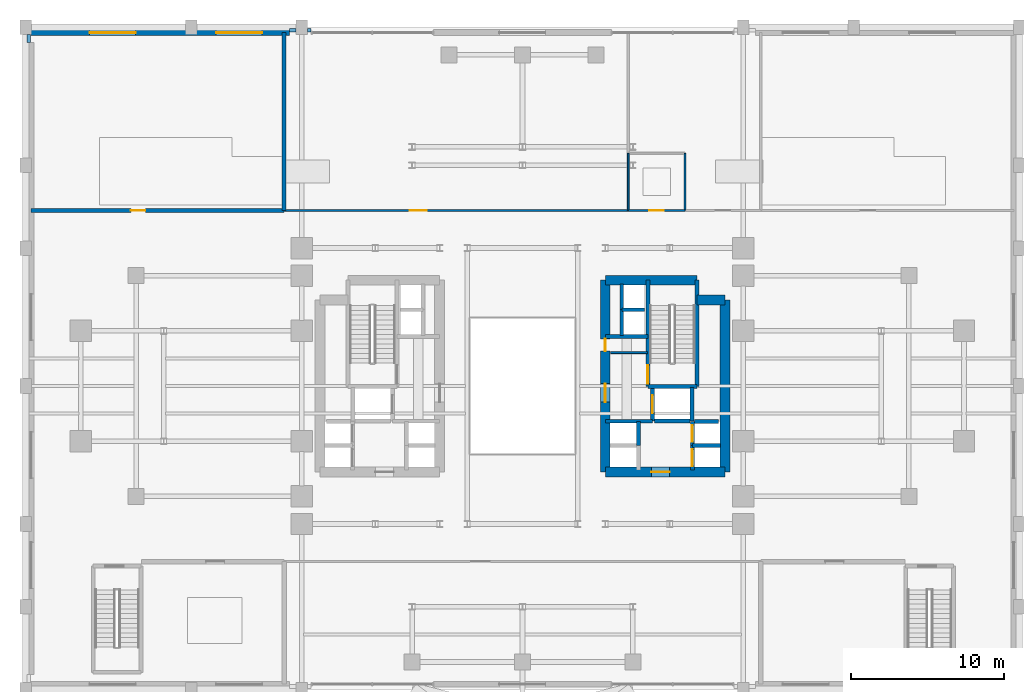
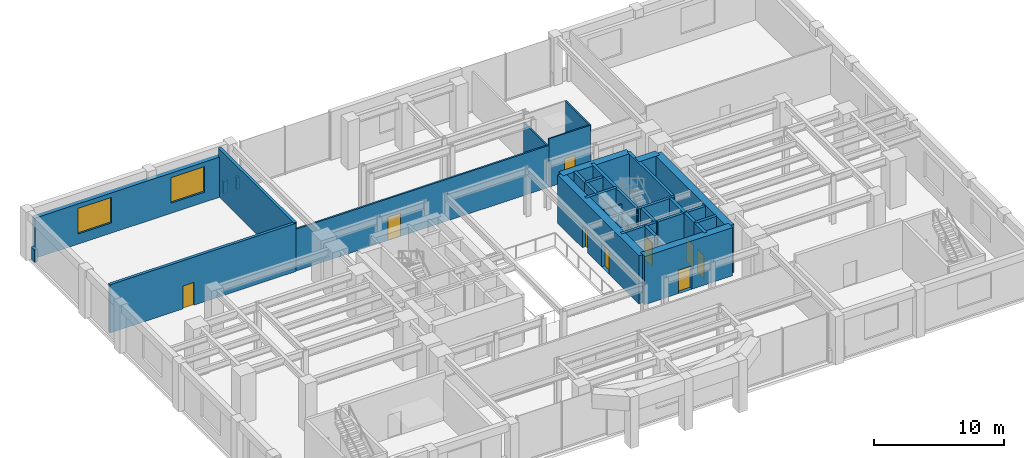
# One storey, part 11 of 14: 32 walls, 10 doors, 2 windows, 12 openings.
"""IFC4 building model written with IfcOpenShell, lengths in metres."""

import ifcopenshell
import ifcopenshell.guid

model = None  # the IFC model being written
_history = None  # IfcOwnerHistory: only IFC2X3 demands one
_inside = {}  # id of a spatial element -> (the spatial element, [elements in it])
_under = {}  # id of a project, library or spatial element -> (it, [spatial elements below it])
_declared = {}  # id of a project -> (the project, [libraries it declares])
_typed = {}  # id of a type object -> (the type object, [elements of that type])
_made_of = {}  # id of a material, layer set ... -> (it, [elements and type objects made of it])


def new_model(schema):
    """Start an empty IFC model of exactly this schema.

    Asked for "IFC4X3", IfcOpenShell would pick the latest addendum, in which some entities
    have other attributes; the version numbers below select the first issue.
    IFC2X3 requires an IfcOwnerHistory on every rooted entity: one is made here for all.
    """
    global model, _history
    if schema == "IFC4X3":
        model = ifcopenshell.file(schema_version=(4, 3, 0, 0))
    else:
        model = ifcopenshell.file(schema=schema)
    _inside.clear()
    _under.clear()
    _declared.clear()
    _typed.clear()
    _made_of.clear()
    _history = None
    if model.schema == "IFC2X3":
        org = make("IfcOrganization", Name="unknown")
        user = make(
            "IfcPersonAndOrganization",
            ThePerson=make("IfcPerson", FamilyName="unknown"),
            TheOrganization=org,
        )
        app = make(
            "IfcApplication",
            ApplicationDeveloper=org,
            Version="unknown",
            ApplicationFullName="unknown",
            ApplicationIdentifier="unknown",
        )
        _history = make(
            "IfcOwnerHistory",
            OwningUser=user,
            OwningApplication=app,
            ChangeAction="ADDED",
            CreationDate=0,
        )
    return model


def make(cls, **values):
    """One entity of the class cls with the attributes given. An attribute that is None is left unset."""
    return model.create_entity(
        cls, **{name: value for name, value in values.items() if value is not None}
    )


def rooted(cls, **values):
    """An entity with a GlobalId (a new one), such as an element, a storey or a relation."""
    return make(cls, GlobalId=ifcopenshell.guid.new(), OwnerHistory=_history, **values)


def si_unit(unit_type, name, prefix=None):
    """IfcSIUnit, for example si_unit("LENGTHUNIT", "METRE", prefix="MILLI")."""
    return make("IfcSIUnit", UnitType=unit_type, Prefix=prefix, Name=name)


def assignment(units):
    """IfcUnitAssignment: the units of a project."""
    return None if units is None else make("IfcUnitAssignment", Units=units)


def point(xyz):
    """IfcCartesianPoint."""
    return None if xyz is None else make("IfcCartesianPoint", Coordinates=xyz)


def direction(xyz):
    """IfcDirection."""
    return None if xyz is None else make("IfcDirection", DirectionRatios=xyz)


def frame(location, z_axis=None, x_axis=None):
    """IfcAxis2Placement3D, a coordinate frame: its origin and axes. An axis left out is left unset."""
    return make(
        "IfcAxis2Placement3D",
        Location=point(location),
        Axis=direction(z_axis),
        RefDirection=direction(x_axis),
    )


def frame_2d(location, x_axis=None):
    """IfcAxis2Placement2D, a coordinate frame in the plane: its origin and x axis."""
    return make(
        "IfcAxis2Placement2D", Location=point(location), RefDirection=direction(x_axis)
    )


def origin():
    """The frame at (0, 0, 0) with its axes left unset."""
    return frame((0.0, 0.0, 0.0))


def place(relative_to, where):
    """IfcLocalPlacement: puts the frame where relative to a parent placement (None: the world)."""
    return make(
        "IfcLocalPlacement", PlacementRelTo=relative_to, RelativePlacement=where
    )


def context(
    kind, dimensions, precision=None, world=None, true_north=None, identifier=None
):
    """IfcGeometricRepresentationContext, for example the 3D "Model" context."""
    return make(
        "IfcGeometricRepresentationContext",
        ContextIdentifier=identifier,
        ContextType=kind,
        CoordinateSpaceDimension=dimensions,
        Precision=precision,
        WorldCoordinateSystem=world,
        TrueNorth=true_north,
    )


def subcontext(parent, identifier, kind, view, scale=None):
    """IfcGeometricRepresentationSubContext, for example "Body" below "Model"."""
    return make(
        "IfcGeometricRepresentationSubContext",
        ContextIdentifier=identifier,
        ContextType=kind,
        ParentContext=parent,
        TargetScale=scale,
        TargetView=view,
    )


def project(units=None, contexts=None):
    """IfcProject with its units and contexts."""
    return rooted(
        "IfcProject",
        Name="project",
        RepresentationContexts=contexts,
        UnitsInContext=assignment(units),
    )


def spatial(cls, under=None, at=None, **own):
    """A site, building, storey or space (cls), placed at a placement, below another one or the project."""
    s = rooted(cls, ObjectPlacement=at, **own)
    if under is not None:
        _under.setdefault(under.id(), (under, []))[1].append(s)
    return s


def profile(cls, at=None, kind="AREA", **sizes):
    """A parametric profile (cls). Its sizes go by their IFC names, for example OverallWidth=200.0."""
    return make(cls, ProfileType=kind, Position=at, **sizes)


def rectangle(**sizes):
    """IfcRectangleProfileDef."""
    return profile("IfcRectangleProfileDef", **sizes)


def extrude(swept, where, along, depth):
    """IfcExtrudedAreaSolid: the profile swept, set in the frame where, extruded along a direction by depth."""
    return make(
        "IfcExtrudedAreaSolid",
        SweptArea=swept,
        Position=where,
        ExtrudedDirection=direction(along),
        Depth=depth,
    )


def shape(context_of_items, identifier, shape_type, items):
    """IfcShapeRepresentation: the items that make up one representation, for example the "Body"."""
    return make(
        "IfcShapeRepresentation",
        ContextOfItems=context_of_items,
        RepresentationIdentifier=identifier,
        RepresentationType=shape_type,
        Items=items,
    )


def source(mapping_origin, context_of_items, identifier, shape_type, items):
    """IfcRepresentationMap: a shape defined once, which mapped items show again and again."""
    return make(
        "IfcRepresentationMap",
        MappingOrigin=mapping_origin,
        MappedRepresentation=shape(context_of_items, identifier, shape_type, items),
    )


def transform(
    local_origin,
    x_axis=None,
    y_axis=None,
    z_axis=None,
    scale=None,
    scale2=None,
    scale3=None,
    uniform=True,
):
    """IfcCartesianTransformationOperator3D, or its non-uniform kind. x_axis, y_axis, z_axis: its Axis1, 2, 3."""
    if uniform:
        return make(
            "IfcCartesianTransformationOperator3D",
            Axis1=direction(x_axis),
            Axis2=direction(y_axis),
            LocalOrigin=point(local_origin),
            Scale=scale,
            Axis3=direction(z_axis),
        )
    return make(
        "IfcCartesianTransformationOperator3DnonUniform",
        Axis1=direction(x_axis),
        Axis2=direction(y_axis),
        LocalOrigin=point(local_origin),
        Scale=scale,
        Axis3=direction(z_axis),
        Scale2=scale2,
        Scale3=scale3,
    )


def mapped(mapping_source, mapping_target):
    """IfcMappedItem: shows the shape of a source again, moved by a transform."""
    return make(
        "IfcMappedItem", MappingSource=mapping_source, MappingTarget=mapping_target
    )


def material(Name=None, Category=None):
    """IfcMaterial."""
    return make("IfcMaterial", Name=Name, Category=Category)


def layer(
    of_material, thickness, ventilated=None, Name=None, Category=None, Priority=None
):
    """IfcMaterialLayer: one layer of a wall or slab, of a material (None: an air gap)."""
    return make(
        "IfcMaterialLayer",
        Material=of_material,
        LayerThickness=thickness,
        IsVentilated=ventilated,
        Name=Name,
        Category=Category,
        Priority=Priority,
    )


def layer_set(layers, Name=None):
    """IfcMaterialLayerSet."""
    return make("IfcMaterialLayerSet", MaterialLayers=layers, LayerSetName=Name)


def made_of(thing, what):
    """Note that an element or type object is made of a material, layer set ...; save() writes the relation."""
    if what is not None:
        _made_of.setdefault(what.id(), (what, []))[1].append(thing)
    return thing


def type_object(cls, material=None, **own):
    """A type object (cls), such as IfcWallType, which elements share."""
    return made_of(rooted(cls, **own), material)


def element(
    cls,
    number,
    at=None,
    inside=None,
    cuts=None,
    type_object=None,
    material=None,
    context=None,
    identifier="Body",
    shape_type=None,
    held_by="IfcProductDefinitionShape",
    body=None,
    shapes=None,
    **own,
):
    """One element of the class cls, such as IfcWall. Its Tag is "e" and its number.

    at: its placement. inside: the storey or other place that contains it. cuts: it is an
    opening in that element (IfcRelVoidsElement). A single representation is given by context,
    identifier, shape_type and body (its items); several are given by shapes. held_by: the class
    of the entity that holds the representations. save() writes the other relations.
    """
    e = rooted(cls, Tag="e%d" % number, ObjectPlacement=at, **own)
    if body is not None:
        shapes = [shape(context, identifier, shape_type, body)]
    if shapes is not None:
        e.Representation = make(held_by, Representations=shapes)
    if inside is not None:
        _inside.setdefault(inside.id(), (inside, []))[1].append(e)
    if cuts is not None:
        rooted(
            "IfcRelVoidsElement", RelatingBuildingElement=cuts, RelatedOpeningElement=e
        )
    if type_object is not None:
        _typed.setdefault(type_object.id(), (type_object, []))[1].append(e)
    return made_of(e, material)


def fill(opening, filler):
    """IfcRelFillsElement: the door or window that sits in an opening."""
    return rooted(
        "IfcRelFillsElement",
        RelatingOpeningElement=opening,
        RelatedBuildingElement=filler,
    )


def aggregate(whole, parts):
    """IfcRelAggregates: a whole, such as a stair, and the parts it consists of."""
    return rooted("IfcRelAggregates", RelatingObject=whole, RelatedObjects=parts)


def save(model, path):
    """Write the relations noted so far, then the file.

    IfcRelAggregates (storeys below a building ...), IfcRelContainedInSpatialStructure (elements
    in a storey), IfcRelDefinesByType, IfcRelAssociatesMaterial and IfcRelDeclares: one each for
    every whole, place, type object, material and project.
    """
    for whole, parts in _under.values():
        aggregate(whole, parts)
    for where, things in _inside.values():
        rooted(
            "IfcRelContainedInSpatialStructure",
            RelatedElements=things,
            RelatingStructure=where,
        )
    for kind, things in _typed.values():
        rooted("IfcRelDefinesByType", RelatedObjects=things, RelatingType=kind)
    for what, things in _made_of.values():
        rooted("IfcRelAssociatesMaterial", RelatedObjects=things, RelatingMaterial=what)
    for by, libraries in _declared.values():
        rooted("IfcRelDeclares", RelatingContext=by, RelatedDefinitions=libraries)
    model.write(path)


model = new_model("IFC4")

# Units and contexts
model_context = context("Model", 3, precision=1e-05, world=origin(), true_north=direction((0.0, 1.0)))
body_context = subcontext(model_context, "Body", "Model", "MODEL_VIEW")
ifc_project = project(units=[si_unit("LENGTHUNIT", "METRE"), si_unit("AREAUNIT", "SQUARE_METRE"), si_unit("VOLUMEUNIT", "CUBIC_METRE"), si_unit("PLANEANGLEUNIT", "RADIAN"), si_unit("MASSUNIT", "GRAM", prefix="KILO")], contexts=[model_context])

# Site, building, storey
site_placement = place(None, origin())
site = spatial("IfcSite", under=ifc_project, at=site_placement, CompositionType="ELEMENT")
building_placement = place(site_placement, origin())
building = spatial("IfcBuilding", under=site, at=building_placement, Name="Keilestroom Media Tower", CompositionType="ELEMENT")
storey_placement = place(building_placement, frame((0.0, 0.0, 5.39990234375)))
storey = spatial("IfcBuildingStorey", under=building, at=storey_placement, Name="L01", CompositionType="ELEMENT", Elevation=5.39990234375)

# Wall, opening, door
ifc_material_1 = material(Name="Concrete C45/55", Category="concrete")
ifc_layer_1 = layer(ifc_material_1, 0.25)
ifc_layer_set_1 = layer_set([ifc_layer_1], Name="Concrete C45/55")
wall_type_1 = type_object("IfcWallType", Name="Acoustic-Studio-Isolation-Wall-250", PredefinedType="SOLIDWALL", material=ifc_layer_set_1)
wall_1_placement = place(storey_placement, frame((-32.050048828125, 11.449951171875, 0.0), z_axis=(0.0, 0.0, 1.0), x_axis=(1.0, 0.0, 0.0)))
wall_1 = element("IfcWall", 1, at=wall_1_placement, inside=storey, type_object=wall_type_1, Name="L01 Interior Wall WP-L01-CTRL-NW-S", PredefinedType="SOLIDWALL", context=body_context, shape_type="SweptSolid", body=[
    extrude(rectangle(XDim=16.5, YDim=0.25, at=frame_2d((8.25, 0.0))), origin(), (0.0, 0.0, 1.0), 4.52001953125),
])
opening_1_placement = place(wall_1_placement, frame((6.5, 0.0, 0.0)))
opening_1 = element("IfcOpeningElement", 2, at=opening_1_placement, cuts=wall_1, Name="Opening DI-03", PredefinedType="OPENING", context=body_context, shape_type="SweptSolid", body=[
    extrude(rectangle(XDim=0.949951171875, YDim=2.14990234375, at=frame_2d((0.47509765625, 1.074951171875))), frame((0.0, 0.135009765625, 0.0), z_axis=(0.0, -1.0, 0.0), x_axis=(1.0, 0.0, 0.0)), (0.0, 0.0, 1.0), 0.27001953125),
])
ifc_material_2 = material(Name="Lacquered European Oak Leaf", Category="wood")
door_type_1 = type_object("IfcDoorType", Name="Interior-Room-And-Suite-Door-DI-03", OperationType="NOTDEFINED", PredefinedType="DOOR", material=ifc_material_2)
shared_shape_1 = source(origin(), body_context, "Body", "SweptSolid", [
    extrude(rectangle(XDim=0.949951171875, YDim=2.14990234375, at=frame_2d((0.47509765625, 1.074951171875))), frame((0.0, 0.02490234375, 0.0), z_axis=(0.0, -1.0, 0.0), x_axis=(1.0, 0.0, 0.0)), (0.0, 0.0, 1.0), 0.050048828125),
])
door_1_placement = place(opening_1_placement, origin())
door_1 = element("IfcDoor", 3, at=door_1_placement, inside=storey, type_object=door_type_1, Name="L01 Interior Door DI-L01-CTRL-NW-D", OperationType="SINGLE_SWING_LEFT", OverallHeight=2.14990234375, OverallWidth=0.949951171875, PredefinedType="DOOR", context=body_context, shape_type="MappedRepresentation", body=[
    mapped(shared_shape_1, transform((0.0, 0.0, 0.0), x_axis=(1.0, 0.0, 0.0), y_axis=(0.0, 1.0, 0.0), z_axis=(0.0, 0.0, 1.0), scale=1.0)),
])
fill(opening_1, door_1)

# Wall
wall_2_placement = place(storey_placement, frame((-15.550048828125, 11.449951171875, 0.0), z_axis=(0.0, 0.0, 1.0), x_axis=(0.0, 1.0, 0.0)))
element("IfcWall", 4, at=wall_2_placement, inside=storey, type_object=wall_type_1, Name="L01 Interior Wall WP-L01-CTRL-NW-E", PredefinedType="SOLIDWALL", context=body_context, shape_type="SweptSolid", body=[
    extrude(rectangle(XDim=11.60009765625, YDim=0.25, at=frame_2d((5.800048828125, 0.0))), origin(), (0.0, 0.0, 1.0), 4.52001953125),
])

# Wall, openings, windows
ifc_material_3 = material(Name="Precast concrete C40/50", Category="concrete")
ifc_layer_2 = layer(ifc_material_3, 0.3798828125)
ifc_layer_set_2 = layer_set([ifc_layer_2], Name="Precast concrete C40/50")
wall_type_2 = type_object("IfcWallType", Name="Exterior-Masonry-Spandrel-Wall-380", PredefinedType="SOLIDWALL", material=ifc_layer_set_2)
wall_3_placement = place(storey_placement, frame((-32.050048828125, 23.050048828125, 0.0), z_axis=(0.0, 0.0, 1.0), x_axis=(1.0, 0.0, 0.0)))
wall_3 = element("IfcWall", 5, at=wall_3_placement, inside=storey, type_object=wall_type_2, Name="L01 Podium Precast Masonry Wall EWL-L01-N-W", PredefinedType="SOLIDWALL", context=body_context, shape_type="SweptSolid", body=[
    extrude(rectangle(XDim=16.85009765625, YDim=0.3798828125, at=frame_2d((8.425048828125, 0.0))), origin(), (0.0, 0.0, 1.0), 3.77001953125),
])
opening_2_placement = place(wall_3_placement, frame((3.81201171875, 0.0, 0.949951171875)))
opening_2 = element("IfcOpeningElement", 6, at=opening_2_placement, cuts=wall_3, Name="Opening WN-05", PredefinedType="OPENING", context=body_context, shape_type="SweptSolid", body=[
    extrude(rectangle(XDim=3.0, YDim=2.39990234375, at=frame_2d((1.5, 1.199951171875))), frame((0.0, 0.199951171875, 0.0), z_axis=(0.0, -1.0, 0.0), x_axis=(1.0, 0.0, 0.0)), (0.0, 0.0, 1.0), 0.39990234375),
])
opening_3_placement = place(wall_3_placement, frame((12.06201171875, 0.0, 0.949951171875)))
opening_3 = element("IfcOpeningElement", 7, at=opening_3_placement, cuts=wall_3, Name="Opening WN-05", PredefinedType="OPENING", context=body_context, shape_type="SweptSolid", body=[
    extrude(rectangle(XDim=3.0, YDim=2.39990234375, at=frame_2d((1.5, 1.199951171875))), frame((0.0, 0.199951171875, 0.0), z_axis=(0.0, -1.0, 0.0), x_axis=(1.0, 0.0, 0.0)), (0.0, 0.0, 1.0), 0.39990234375),
])
ifc_material_4 = material(Name="Acoustic Studio Observation Window", Category="glass")
window_type = type_object("IfcWindowType", Name="Recessed-Punched-Window-WN-05", PartitioningType="TRIPLE_PANEL_VERTICAL", PredefinedType="WINDOW", material=ifc_material_4)
shared_shape_2 = source(origin(), body_context, "Body", "SweptSolid", [
    extrude(rectangle(XDim=3.0, YDim=2.39990234375, at=frame_2d((1.5, 1.199951171875))), frame((0.0, 0.030029296875, 0.0), z_axis=(0.0, -1.0, 0.0), x_axis=(1.0, 0.0, 0.0)), (0.0, 0.0, 1.0), 0.06005859375),
])
window_1_placement = place(opening_2_placement, origin())
window_1 = element("IfcWindow", 8, at=window_1_placement, inside=storey, type_object=window_type, Name="L01 Window WN-05 EWL-L01-N-W-1", OverallHeight=2.39990234375, OverallWidth=3.0, PartitioningType="SINGLE_PANEL", PredefinedType="WINDOW", context=body_context, shape_type="MappedRepresentation", body=[
    mapped(shared_shape_2, transform((0.0, 0.0, 0.0), x_axis=(1.0, 0.0, 0.0), y_axis=(0.0, 1.0, 0.0), z_axis=(0.0, 0.0, 1.0), scale=1.0)),
])
fill(opening_2, window_1)
window_2_placement = place(opening_3_placement, origin())
window_2 = element("IfcWindow", 9, at=window_2_placement, inside=storey, type_object=window_type, Name="L01 Window WN-05 EWL-L01-N-W-2", OverallHeight=2.39990234375, OverallWidth=3.0, PartitioningType="SINGLE_PANEL", PredefinedType="WINDOW", context=body_context, shape_type="MappedRepresentation", body=[
    mapped(shared_shape_2, transform((0.0, 0.0, 0.0), x_axis=(1.0, 0.0, 0.0), y_axis=(0.0, 1.0, 0.0), z_axis=(0.0, 0.0, 1.0), scale=1.0)),
])
fill(opening_3, window_2)

# Wall
ifc_material_5 = material(Name="Gypsum Plasterboard & Steel Stud", Category="steel")
ifc_layer_3 = layer(ifc_material_5, 0.1201171875)
ifc_layer_set_3 = layer_set([ifc_layer_3], Name="Gypsum Plasterboard & Steel Stud")
wall_type_3 = type_object("IfcWallType", Name="Interior-Partition-Wall-120", PredefinedType="PARTITIONING", material=ifc_layer_set_3)
wall_4_placement = place(storey_placement, frame((5.75, 2.179931640625, 0.0), z_axis=(0.0, 0.0, 1.0), x_axis=(1.0, 0.0, 0.0)))
element("IfcWall", 10, at=wall_4_placement, inside=storey, type_object=wall_type_3, Name="L01 Interior Wall WP-L01-CIE-S", PredefinedType="PARTITIONING", context=body_context, shape_type="SweptSolid", body=[
    extrude(rectangle(XDim=2.389892578125, YDim=0.1201171875, at=frame_2d((1.19482421875, 0.0))), origin(), (0.0, 0.0, 1.0), 3.6201171875),
])

# Wall, opening, door
wall_5_placement = place(storey_placement, frame((6.89990234375, 11.449951171875, 0.0), z_axis=(0.0, 0.0, 1.0), x_axis=(1.0, 0.0, 0.0)))
wall_5 = element("IfcWall", 11, at=wall_5_placement, inside=storey, type_object=wall_type_3, Name="L01 Interior Wall WP-L01-WC-POD-S", PredefinedType="PARTITIONING", context=body_context, shape_type="SweptSolid", body=[
    extrude(rectangle(XDim=3.7001953125, YDim=0.1201171875, at=frame_2d((1.85009765625, 0.0))), origin(), (0.0, 0.0, 1.0), 4.52001953125),
])
opening_4_placement = place(wall_5_placement, frame((1.375, 0.0, 0.0)))
opening_4 = element("IfcOpeningElement", 12, at=opening_4_placement, cuts=wall_5, Name="Opening DI-03", PredefinedType="OPENING", context=body_context, shape_type="SweptSolid", body=[
    extrude(rectangle(XDim=0.949951171875, YDim=2.14990234375, at=frame_2d((0.47509765625, 1.074951171875))), frame((0.0, 0.070068359375, 0.0), z_axis=(0.0, -1.0, 0.0), x_axis=(1.0, 0.0, 0.0)), (0.0, 0.0, 1.0), 0.14013671875),
])
door_2_placement = place(opening_4_placement, origin())
door_2 = element("IfcDoor", 13, at=door_2_placement, inside=storey, type_object=door_type_1, Name="L01 Interior Door DI-L01-DWC-POD", OperationType="SINGLE_SWING_RIGHT", OverallHeight=2.14990234375, OverallWidth=0.949951171875, PredefinedType="DOOR", context=body_context, shape_type="MappedRepresentation", body=[
    mapped(shared_shape_1, transform((0.0, 0.0, 0.0), x_axis=(1.0, 0.0, 0.0), y_axis=(0.0, 1.0, 0.0), z_axis=(0.0, 0.0, 1.0), scale=1.0)),
])
fill(opening_4, door_2)

# Walls
wall_6_placement = place(storey_placement, frame((6.89990234375, 11.449951171875, 0.0), z_axis=(0.0, 0.0, 1.0), x_axis=(0.0, 1.0, 0.0)))
element("IfcWall", 14, at=wall_6_placement, inside=storey, type_object=wall_type_3, Name="L01 Interior Wall WP-L01-WC-POD-W", PredefinedType="PARTITIONING", context=body_context, shape_type="SweptSolid", body=[
    extrude(rectangle(XDim=3.72998046875, YDim=0.1201171875, at=frame_2d((1.864990234375, 0.0))), origin(), (0.0, 0.0, 1.0), 3.820068359375),
])
wall_7_placement = place(storey_placement, frame((10.60009765625, 11.449951171875, 0.0), z_axis=(0.0, 0.0, 1.0), x_axis=(0.0, 1.0, 0.0)))
element("IfcWall", 15, at=wall_7_placement, inside=storey, type_object=wall_type_3, Name="L01 Interior Wall WP-L01-WC-POD-E", PredefinedType="PARTITIONING", context=body_context, shape_type="SweptSolid", body=[
    extrude(rectangle(XDim=3.72998046875, YDim=0.1201171875, at=frame_2d((1.864990234375, 0.0))), origin(), (0.0, 0.0, 1.0), 4.52001953125),
])

# Wall, opening, door
ifc_layer_4 = layer(ifc_material_5, 0.14990234375)
ifc_layer_set_4 = layer_set([ifc_layer_4], Name="Gypsum Plasterboard & Steel Stud")
wall_type_4 = type_object("IfcWallType", Name="Interior-Partition-Wall-150", PredefinedType="PARTITIONING", material=ifc_layer_set_4)
wall_8_placement = place(storey_placement, frame((-15.550048828125, 11.449951171875, 0.0), z_axis=(0.0, 0.0, 1.0), x_axis=(1.0, 0.0, 0.0)))
wall_8 = element("IfcWall", 16, at=wall_8_placement, inside=storey, type_object=wall_type_4, Name="L01 Interior Wall WP-L01-GREEN-N-S", PredefinedType="PARTITIONING", context=body_context, shape_type="SweptSolid", body=[
    extrude(rectangle(XDim=22.449951171875, YDim=0.14990234375, at=frame_2d((11.22509765625, 0.0))), origin(), (0.0, 0.0, 1.0), 3.920166015625),
])
opening_5_placement = place(wall_8_placement, frame((8.199951171875, 0.0, 0.0)))
opening_5 = element("IfcOpeningElement", 17, at=opening_5_placement, cuts=wall_8, Name="Opening DI-04", PredefinedType="OPENING", context=body_context, shape_type="SweptSolid", body=[
    extrude(rectangle(XDim=1.10009765625, YDim=2.199951171875, at=frame_2d((0.550048828125, 1.10009765625))), frame((0.0, 0.0849609375, 0.0), z_axis=(0.0, -1.0, 0.0), x_axis=(1.0, 0.0, 0.0)), (0.0, 0.0, 1.0), 0.169921875),
])
ifc_material_6 = material(Name="Acoustic Glazed Aluminium Leaf", Category="aluminium")
door_type_2 = type_object("IfcDoorType", Name="Interior-Room-And-Suite-Door-DI-04", OperationType="NOTDEFINED", PredefinedType="DOOR", material=ifc_material_6)
shared_shape_3 = source(origin(), body_context, "Body", "SweptSolid", [
    extrude(rectangle(XDim=1.10009765625, YDim=2.199951171875, at=frame_2d((0.550048828125, 1.10009765625))), frame((0.0, 0.02490234375, 0.0), z_axis=(0.0, -1.0, 0.0), x_axis=(1.0, 0.0, 0.0)), (0.0, 0.0, 1.0), 0.050048828125),
])
door_3_placement = place(opening_5_placement, origin())
door_3 = element("IfcDoor", 18, at=door_3_placement, inside=storey, type_object=door_type_2, Name="L01 Interior Door DI-L01-GREEN-N-D", OperationType="SINGLE_SWING_LEFT", OverallHeight=2.199951171875, OverallWidth=1.10009765625, PredefinedType="DOOR", context=body_context, shape_type="MappedRepresentation", body=[
    mapped(shared_shape_3, transform((0.0, 0.0, 0.0), x_axis=(1.0, 0.0, 0.0), y_axis=(0.0, 1.0, 0.0), z_axis=(0.0, 0.0, 1.0), scale=1.0)),
])
fill(opening_5, door_3)

# Wall
ifc_material_7 = material(Name="Concrete C70/85", Category="concrete")
ifc_layer_5 = layer(ifc_material_7, 0.64990234375)
ifc_layer_set_5 = layer_set([ifc_layer_5], Name="Concrete C70/85")
wall_type_5 = type_object("IfcWallType", Name="Reinforced-Concrete-Core-Shear-Wall-650", PredefinedType="SHEAR", material=ifc_layer_set_5)
wall_9_placement = place(storey_placement, frame((13.199951171875, -5.60009765625, 0.0), z_axis=(0.0, 0.0, 1.0), x_axis=(0.0, 1.0, 0.0)))
element("IfcWall", 19, at=wall_9_placement, inside=storey, type_object=wall_type_5, Name="L01 Core Shear Wall WL-L01-CORE-E-OUT", PredefinedType="SHEAR", context=body_context, shape_type="SweptSolid", body=[
    extrude(rectangle(XDim=11.2001953125, YDim=0.64990234375, at=frame_2d((5.60009765625, 0.0))), origin(), (0.0, 0.0, 1.0), 4.52001953125),
])

# Wall, openings, doors
wall_10_placement = place(storey_placement, frame((5.39990234375, -5.60009765625, 0.0), z_axis=(0.0, 0.0, 1.0), x_axis=(0.0, 1.0, 0.0)))
wall_10 = element("IfcWall", 20, at=wall_10_placement, inside=storey, type_object=wall_type_5, Name="L01 Core Shear Wall WL-L01-CORE-E-IN", PredefinedType="SHEAR", context=body_context, shape_type="SweptSolid", body=[
    extrude(rectangle(XDim=12.5, YDim=0.64990234375, at=frame_2d((6.25, 0.0))), origin(), (0.0, 0.0, 1.0), 4.52001953125),
])
opening_6_placement = place(wall_10_placement, frame((4.550048828125, 0.0, 0.0)))
opening_6 = element("IfcOpeningElement", 21, at=opening_6_placement, cuts=wall_10, Name="Opening DI-02", PredefinedType="OPENING", context=body_context, shape_type="SweptSolid", body=[
    extrude(rectangle(XDim=1.199951171875, YDim=2.199951171875, at=frame_2d((0.60009765625, 1.10009765625))), frame((0.0, 0.3349609375, 0.0), z_axis=(0.0, -1.0, 0.0), x_axis=(1.0, 0.0, 0.0)), (0.0, 0.0, 1.0), 0.669921875),
])
opening_7_placement = place(wall_10_placement, frame((7.8798828125, 0.0, 0.0)))
opening_7 = element("IfcOpeningElement", 22, at=opening_7_placement, cuts=wall_10, Name="Opening DI-06", PredefinedType="OPENING", context=body_context, shape_type="SweptSolid", body=[
    extrude(rectangle(XDim=0.800048828125, YDim=2.10009765625, at=frame_2d((0.39990234375, 1.050048828125))), frame((0.0, 0.3349609375, 0.0), z_axis=(0.0, -1.0, 0.0), x_axis=(1.0, 0.0, 0.0)), (0.0, 0.0, 1.0), 0.669921875),
])
ifc_material_8 = material(Name="Powder-Coated Steel Fire Leaf", Category="steel")
door_type_3 = type_object("IfcDoorType", Name="Interior-Compartment-Fire-Door-DI-02", OperationType="NOTDEFINED", PredefinedType="DOOR", material=ifc_material_8)
shared_shape_4 = source(origin(), body_context, "Body", "SweptSolid", [
    extrude(rectangle(XDim=1.199951171875, YDim=2.199951171875, at=frame_2d((0.60009765625, 1.10009765625))), frame((0.0, 0.02490234375, 0.0), z_axis=(0.0, -1.0, 0.0), x_axis=(1.0, 0.0, 0.0)), (0.0, 0.0, 1.0), 0.050048828125),
])
door_4_placement = place(opening_6_placement, origin())
door_4 = element("IfcDoor", 23, at=door_4_placement, inside=storey, type_object=door_type_3, Name="L01 E Firefighting Lobby Door", OperationType="SINGLE_SWING_LEFT", OverallHeight=2.199951171875, OverallWidth=1.199951171875, PredefinedType="DOOR", context=body_context, shape_type="MappedRepresentation", body=[
    mapped(shared_shape_4, transform((0.0, 0.0, 0.0), x_axis=(1.0, 0.0, 0.0), y_axis=(0.0, 1.0, 0.0), z_axis=(0.0, 0.0, 1.0), scale=1.0)),
])
fill(opening_6, door_4)
ifc_material_9 = material(Name="Powder-Coated Steel Service Leaf", Category="steel")
door_type_4 = type_object("IfcDoorType", Name="Interior-Riser-Access-Door-DI-06", OperationType="NOTDEFINED", PredefinedType="DOOR", material=ifc_material_9)
shared_shape_5 = source(origin(), body_context, "Body", "SweptSolid", [
    extrude(rectangle(XDim=0.800048828125, YDim=2.10009765625, at=frame_2d((0.39990234375, 1.050048828125))), frame((0.0, 0.02490234375, 0.0), z_axis=(0.0, -1.0, 0.0), x_axis=(1.0, 0.0, 0.0)), (0.0, 0.0, 1.0), 0.050048828125),
])
door_5_placement = place(opening_7_placement, origin())
door_5 = element("IfcDoor", 24, at=door_5_placement, inside=storey, type_object=door_type_4, Name="L01 East Core Closet Door", OperationType="SINGLE_SWING_RIGHT", OverallHeight=2.10009765625, OverallWidth=0.800048828125, PredefinedType="DOOR", context=body_context, shape_type="MappedRepresentation", body=[
    mapped(shared_shape_5, transform((0.0, 0.0, 0.0), x_axis=(1.0, 0.0, 0.0), y_axis=(0.0, 1.0, 0.0), z_axis=(0.0, 0.0, 1.0), scale=1.0)),
])
fill(opening_7, door_5)

# Walls
wall_11_placement = place(storey_placement, frame((5.39990234375, 6.89990234375, 0.0), z_axis=(0.0, 0.0, 1.0), x_axis=(1.0, 0.0, 0.0)))
element("IfcWall", 25, at=wall_11_placement, inside=storey, type_object=wall_type_5, Name="L01 Core Shear Wall WL-L01-CORE-E-N", PredefinedType="SHEAR", context=body_context, shape_type="SweptSolid", body=[
    extrude(rectangle(XDim=5.981201171875, YDim=0.64990234375, at=frame_2d((2.99072265625, 0.0))), origin(), (0.0, 0.0, 1.0), 4.52001953125),
])
wall_12_placement = place(storey_placement, frame((11.381103515625, 5.60009765625, 0.0), z_axis=(0.0, 0.0, 1.0), x_axis=(1.0, 0.0, 0.0)))
element("IfcWall", 26, at=wall_12_placement, inside=storey, type_object=wall_type_5, Name="L01 Core Shear Wall WL-L01-CNE-N", PredefinedType="SHEAR", context=body_context, shape_type="SweptSolid", body=[
    extrude(rectangle(XDim=1.81884765625, YDim=0.64990234375, at=frame_2d((0.909423828125, 0.0))), origin(), (0.0, 0.0, 1.0), 4.52001953125),
])

# Wall, opening, door
wall_13_placement = place(storey_placement, frame((5.39990234375, -5.60009765625, 0.0), z_axis=(0.0, 0.0, 1.0), x_axis=(1.0, 0.0, 0.0)))
wall_13 = element("IfcWall", 27, at=wall_13_placement, inside=storey, type_object=wall_type_5, Name="L01 Core Shear Wall WL-L01-CORE-E-S", PredefinedType="SHEAR", context=body_context, shape_type="SweptSolid", body=[
    extrude(rectangle(XDim=7.800048828125, YDim=0.64990234375, at=frame_2d((3.89990234375, 0.0))), origin(), (0.0, 0.0, 1.0), 4.52001953125),
])
opening_8_placement = place(wall_13_placement, frame((3.0, 0.0, 0.0)))
opening_8 = element("IfcOpeningElement", 28, at=opening_8_placement, cuts=wall_13, Name="Opening DI-02", PredefinedType="OPENING", context=body_context, shape_type="SweptSolid", body=[
    extrude(rectangle(XDim=1.199951171875, YDim=2.199951171875, at=frame_2d((0.60009765625, 1.10009765625))), frame((0.0, 0.3349609375, 0.0), z_axis=(0.0, -1.0, 0.0), x_axis=(1.0, 0.0, 0.0)), (0.0, 0.0, 1.0), 0.669921875),
])
door_6_placement = place(opening_8_placement, origin())
door_6 = element("IfcDoor", 29, at=door_6_placement, inside=storey, type_object=door_type_3, Name="L01 E Passenger Lift Lobby Door", OperationType="SINGLE_SWING_RIGHT", OverallHeight=2.199951171875, OverallWidth=1.199951171875, PredefinedType="DOOR", context=body_context, shape_type="MappedRepresentation", body=[
    mapped(shared_shape_4, transform((0.0, 0.0, 0.0), x_axis=(1.0, 0.0, 0.0), y_axis=(0.0, 1.0, 0.0), z_axis=(0.0, 0.0, 1.0), scale=1.0)),
])
fill(opening_8, door_6)

# Walls
ifc_material_10 = material(Name="Concrete C50/60", Category="concrete")
ifc_layer_6 = layer(ifc_material_10, 0.25)
ifc_layer_set_6 = layer_set([ifc_layer_6], Name="Concrete C50/60")
wall_type_6 = type_object("IfcWallType", Name="Reinforced-Concrete-Shaft-Wall-250", PredefinedType="SOLIDWALL", material=ifc_layer_set_6)
wall_14_placement = place(storey_placement, frame((5.39990234375, 3.219970703125, 0.0), z_axis=(0.0, 0.0, 1.0), x_axis=(1.0, 0.0, 0.0)))
element("IfcWall", 30, at=wall_14_placement, inside=storey, type_object=wall_type_6, Name="L01 Core Shear Wall WL-L01-CORE-E-FFN", PredefinedType="SOLIDWALL", context=body_context, shape_type="SweptSolid", body=[
    extrude(rectangle(XDim=2.780029296875, YDim=0.25, at=frame_2d((1.39013671875, 0.0))), origin(), (0.0, 0.0, 1.0), 4.52001953125),
])
wall_15_placement = place(storey_placement, frame((5.39990234375, -2.300048828125, 0.0), z_axis=(0.0, 0.0, 1.0), x_axis=(1.0, 0.0, 0.0)))
element("IfcWall", 31, at=wall_15_placement, inside=storey, type_object=wall_type_6, Name="L01 Core Shear Wall WL-L01-CORE-E-FFS", PredefinedType="SOLIDWALL", context=body_context, shape_type="SweptSolid", body=[
    extrude(rectangle(XDim=3.080078125, YDim=0.25, at=frame_2d((1.5400390625, 0.0))), origin(), (0.0, 0.0, 1.0), 4.52001953125),
])

# Wall, opening, door
wall_16_placement = place(storey_placement, frame((8.178955078125, -0.041015625, 0.0), z_axis=(0.0, 0.0, 1.0), x_axis=(0.0, 1.0, 0.0)))
wall_16 = element("IfcWall", 32, at=wall_16_placement, inside=storey, type_object=wall_type_6, Name="L01 Core Shear Wall WL-L01-STW-E-NEAR", PredefinedType="SOLIDWALL", context=body_context, shape_type="SweptSolid", body=[
    extrude(rectangle(XDim=6.94091796875, YDim=0.25, at=frame_2d((3.470458984375, 0.0))), origin(), (0.0, 0.0, 1.0), 4.52001953125),
])
opening_9_placement = place(wall_16_placement, frame((0.199951171875, 0.0, 0.0)))
opening_9 = element("IfcOpeningElement", 33, at=opening_9_placement, cuts=wall_16, Name="Opening DI-01S", PredefinedType="OPENING", context=body_context, shape_type="SweptSolid", body=[
    extrude(rectangle(XDim=1.199951171875, YDim=2.199951171875, at=frame_2d((0.60009765625, 1.10009765625))), frame((0.0, 0.135009765625, 0.0), z_axis=(0.0, -1.0, 0.0), x_axis=(1.0, 0.0, 0.0)), (0.0, 0.0, 1.0), 0.27001953125),
])
door_type_5 = type_object("IfcDoorType", Name="Interior-Stair-And-Core-Fire-Door-DI-01", OperationType="NOTDEFINED", PredefinedType="DOOR", material=ifc_material_8)
door_7_placement = place(opening_9_placement, origin())
door_7 = element("IfcDoor", 34, at=door_7_placement, inside=storey, type_object=door_type_5, Name="L01 Escape Stair ST-2 Fire Door", OperationType="SINGLE_SWING_RIGHT", OverallHeight=2.199951171875, OverallWidth=1.199951171875, PredefinedType="DOOR", context=body_context, shape_type="MappedRepresentation", body=[
    mapped(shared_shape_4, transform((0.0, 0.0, 0.0), x_axis=(1.0, 0.0, 0.0), y_axis=(0.0, 1.0, 0.0), z_axis=(0.0, 0.0, 1.0), scale=1.0)),
])
fill(opening_9, door_7)

# Walls
wall_17_placement = place(storey_placement, frame((11.381103515625, -0.041015625, 0.0), z_axis=(0.0, 0.0, 1.0), x_axis=(0.0, 1.0, 0.0)))
element("IfcWall", 35, at=wall_17_placement, inside=storey, type_object=wall_type_6, Name="L01 Core Shear Wall WL-L01-STW-E-FAR", PredefinedType="SOLIDWALL", context=body_context, shape_type="SweptSolid", body=[
    extrude(rectangle(XDim=6.94091796875, YDim=0.25, at=frame_2d((3.470458984375, 0.0))), origin(), (0.0, 0.0, 1.0), 4.52001953125),
])
wall_18_placement = place(storey_placement, frame((8.178955078125, -0.041015625, 0.0), z_axis=(0.0, 0.0, 1.0), x_axis=(1.0, 0.0, 0.0)))
element("IfcWall", 36, at=wall_18_placement, inside=storey, type_object=wall_type_6, Name="L01 Core Shear Wall WL-L01-STW-E-S", PredefinedType="SOLIDWALL", context=body_context, shape_type="SweptSolid", body=[
    extrude(rectangle(XDim=3.2021484375, YDim=0.25, at=frame_2d((1.60107421875, 0.0))), origin(), (0.0, 0.0, 1.0), 4.52001953125),
])

# Wall, opening, door
wall_19_placement = place(storey_placement, frame((8.47998046875, -2.280029296875, 0.0), z_axis=(0.0, 0.0, 1.0), x_axis=(0.0, 1.0, 0.0)))
wall_19 = element("IfcWall", 37, at=wall_19_placement, inside=storey, type_object=wall_type_6, Name="L01 Core Shear Wall WL-L01-LSH-FFL-2-W", PredefinedType="SOLIDWALL", context=body_context, shape_type="SweptSolid", body=[
    extrude(rectangle(XDim=2.179931640625, YDim=0.25, at=frame_2d((1.08984375, 0.0))), origin(), (0.0, 0.0, 1.0), 4.52001953125),
])
opening_10_placement = place(wall_19_placement, frame((0.489990234375, 0.0, 0.0)))
opening_10 = element("IfcOpeningElement", 38, at=opening_10_placement, cuts=wall_19, Name="Opening LD-02", PredefinedType="OPENING", context=body_context, shape_type="SweptSolid", body=[
    extrude(rectangle(XDim=1.199951171875, YDim=2.199951171875, at=frame_2d((0.60009765625, 1.10009765625))), frame((0.0, 0.135009765625, 0.0), z_axis=(0.0, -1.0, 0.0), x_axis=(1.0, 0.0, 0.0)), (0.0, 0.0, 1.0), 0.27001953125),
])
ifc_material_11 = material(Name="Brushed Stainless Steel Sliding Leaf", Category="steel")
door_type_6 = type_object("IfcDoorType", Name="Lift-Landing-Sliding-Door-LD-02", OperationType="SLIDING_TO_RIGHT", PredefinedType="DOOR", material=ifc_material_11)
door_8_placement = place(opening_10_placement, origin())
door_8 = element("IfcDoor", 39, at=door_8_placement, inside=storey, type_object=door_type_6, Name="L01 Lift FFL-2 Landing Sliding Door", OperationType="SLIDING_TO_RIGHT", OverallHeight=2.199951171875, OverallWidth=1.199951171875, PredefinedType="DOOR", context=body_context, shape_type="MappedRepresentation", body=[
    mapped(shared_shape_4, transform((0.0, 0.0, 0.0), x_axis=(1.0, 0.0, 0.0), y_axis=(0.0, 1.0, 0.0), z_axis=(0.0, 0.0, 1.0), scale=1.0)),
])
fill(opening_10, door_8)

# Walls
wall_20_placement = place(storey_placement, frame((11.050048828125, -2.280029296875, 0.0), z_axis=(0.0, 0.0, 1.0), x_axis=(0.0, 1.0, 0.0)))
element("IfcWall", 40, at=wall_20_placement, inside=storey, type_object=wall_type_6, Name="L01 Core Shear Wall WL-L01-LSH-FFL-2-E", PredefinedType="SOLIDWALL", context=body_context, shape_type="SweptSolid", body=[
    extrude(rectangle(XDim=2.179931640625, YDim=0.25, at=frame_2d((1.08984375, 0.0))), origin(), (0.0, 0.0, 1.0), 4.52001953125),
])
wall_21_placement = place(storey_placement, frame((8.60888671875, -2.280029296875, 0.0), z_axis=(0.0, 0.0, 1.0), x_axis=(1.0, 0.0, 0.0)))
element("IfcWall", 41, at=wall_21_placement, inside=storey, type_object=wall_type_6, Name="L01 Core Shear Wall WL-L01-LSH-FFL-2-S", PredefinedType="SOLIDWALL", context=body_context, shape_type="SweptSolid", body=[
    extrude(rectangle(XDim=2.31201171875, YDim=0.25, at=frame_2d((1.156005859375, 0.0))), origin(), (0.0, 0.0, 1.0), 4.52001953125),
])

# Wall, opening, door
wall_22_placement = place(storey_placement, frame((11.080078125, -5.47998046875, 0.0), z_axis=(0.0, 0.0, 1.0), x_axis=(0.0, 1.0, 0.0)))
wall_22 = element("IfcWall", 42, at=wall_22_placement, inside=storey, type_object=wall_type_6, Name="L01 Core Shear Wall WL-L01-LSH-PL-L3-W", PredefinedType="SOLIDWALL", context=body_context, shape_type="SweptSolid", body=[
    extrude(rectangle(XDim=1.60009765625, YDim=0.25, at=frame_2d((0.800048828125, 0.0))), origin(), (0.0, 0.0, 1.0), 4.52001953125),
])
opening_11_placement = place(wall_22_placement, frame((0.25, 0.0, 0.0)))
opening_11 = element("IfcOpeningElement", 43, at=opening_11_placement, cuts=wall_22, Name="Opening LD-01", PredefinedType="OPENING", context=body_context, shape_type="SweptSolid", body=[
    extrude(rectangle(XDim=1.10009765625, YDim=2.199951171875, at=frame_2d((0.550048828125, 1.10009765625))), frame((0.0, 0.135009765625, 0.0), z_axis=(0.0, -1.0, 0.0), x_axis=(1.0, 0.0, 0.0)), (0.0, 0.0, 1.0), 0.27001953125),
])
door_type_7 = type_object("IfcDoorType", Name="Lift-Landing-Sliding-Door-LD-01", OperationType="SLIDING_TO_LEFT", PredefinedType="DOOR", material=ifc_material_11)
door_9_placement = place(opening_11_placement, origin())
door_9 = element("IfcDoor", 44, at=door_9_placement, inside=storey, type_object=door_type_7, Name="L01 Lift PL-L3 Landing Sliding Door", OperationType="SLIDING_TO_LEFT", OverallHeight=2.199951171875, OverallWidth=1.10009765625, PredefinedType="DOOR", context=body_context, shape_type="MappedRepresentation", body=[
    mapped(shared_shape_3, transform((0.0, 0.0, 0.0), x_axis=(1.0, 0.0, 0.0), y_axis=(0.0, 1.0, 0.0), z_axis=(0.0, 0.0, 1.0), scale=1.0)),
])
fill(opening_11, door_9)

# Wall
wall_23_placement = place(storey_placement, frame((11.080078125, -3.8798828125, 0.0), z_axis=(0.0, 0.0, 1.0), x_axis=(1.0, 0.0, 0.0)))
element("IfcWall", 45, at=wall_23_placement, inside=storey, type_object=wall_type_6, Name="L01 Core Shear Wall WL-L01-LSH-PL-L3-N", PredefinedType="SOLIDWALL", context=body_context, shape_type="SweptSolid", body=[
    extrude(rectangle(XDim=1.83984375, YDim=0.25, at=frame_2d((0.919921875, 0.0))), origin(), (0.0, 0.0, 1.0), 4.52001953125),
])

# Wall, opening, door
wall_24_placement = place(storey_placement, frame((11.080078125, -3.8798828125, 0.0), z_axis=(0.0, 0.0, 1.0), x_axis=(0.0, 1.0, 0.0)))
wall_24 = element("IfcWall", 46, at=wall_24_placement, inside=storey, type_object=wall_type_6, Name="L01 Core Shear Wall WL-L01-LSH-PL-L4-W", PredefinedType="SOLIDWALL", context=body_context, shape_type="SweptSolid", body=[
    extrude(rectangle(XDim=1.559814453125, YDim=0.25, at=frame_2d((0.77978515625, 0.0))), origin(), (0.0, 0.0, 1.0), 4.52001953125),
])
opening_12_placement = place(wall_24_placement, frame((0.22998046875, 0.0, 0.0)))
opening_12 = element("IfcOpeningElement", 47, at=opening_12_placement, cuts=wall_24, Name="Opening LD-01", PredefinedType="OPENING", context=body_context, shape_type="SweptSolid", body=[
    extrude(rectangle(XDim=1.10009765625, YDim=2.199951171875, at=frame_2d((0.550048828125, 1.10009765625))), frame((0.0, 0.135009765625, 0.0), z_axis=(0.0, -1.0, 0.0), x_axis=(1.0, 0.0, 0.0)), (0.0, 0.0, 1.0), 0.27001953125),
])
door_10_placement = place(opening_12_placement, origin())
door_10 = element("IfcDoor", 48, at=door_10_placement, inside=storey, type_object=door_type_7, Name="L01 Lift PL-L4 Landing Sliding Door", OperationType="SLIDING_TO_LEFT", OverallHeight=2.199951171875, OverallWidth=1.10009765625, PredefinedType="DOOR", context=body_context, shape_type="MappedRepresentation", body=[
    mapped(shared_shape_3, transform((0.0, 0.0, 0.0), x_axis=(1.0, 0.0, 0.0), y_axis=(0.0, 1.0, 0.0), z_axis=(0.0, 0.0, 1.0), scale=1.0)),
])
fill(opening_12, door_10)

# Walls
wall_25_placement = place(storey_placement, frame((11.208984375, -2.320068359375, 0.0), z_axis=(0.0, 0.0, 1.0), x_axis=(1.0, 0.0, 0.0)))
element("IfcWall", 49, at=wall_25_placement, inside=storey, type_object=wall_type_6, Name="L01 Core Shear Wall WL-L01-LSH-PL-L4-N", PredefinedType="SOLIDWALL", context=body_context, shape_type="SweptSolid", body=[
    extrude(rectangle(XDim=1.58203125, YDim=0.25, at=frame_2d((0.791015625, 0.0))), origin(), (0.0, 0.0, 1.0), 4.52001953125),
])
wall_26_placement = place(storey_placement, frame((7.56005859375, -3.8798828125, 0.0), z_axis=(0.0, 0.0, 1.0), x_axis=(0.0, 1.0, 0.0)))
element("IfcWall", 50, at=wall_26_placement, inside=storey, type_object=wall_type_6, Name="L01 Core Shear Wall WL-L01-LSH-PL-M4-E", PredefinedType="SOLIDWALL", context=body_context, shape_type="SweptSolid", body=[
    extrude(rectangle(XDim=1.559814453125, YDim=0.25, at=frame_2d((0.77978515625, 0.0))), origin(), (0.0, 0.0, 1.0), 4.52001953125),
])
wall_27_placement = place(storey_placement, frame((6.47998046875, 3.300048828125, 0.0), z_axis=(0.0, 0.0, 1.0), x_axis=(0.0, 1.0, 0.0)))
element("IfcWall", 51, at=wall_27_placement, inside=storey, type_object=wall_type_6, Name="L01 Core Shear Wall WL-L01-LSH-PL-H3-W", PredefinedType="SOLIDWALL", context=body_context, shape_type="SweptSolid", body=[
    extrude(rectangle(XDim=1.679931640625, YDim=0.25, at=frame_2d((0.83984375, 0.0))), origin(), (0.0, 0.0, 1.0), 4.52001953125),
])
wall_28_placement = place(storey_placement, frame((6.47998046875, 4.97998046875, 0.0), z_axis=(0.0, 0.0, 1.0), x_axis=(1.0, 0.0, 0.0)))
element("IfcWall", 52, at=wall_28_placement, inside=storey, type_object=wall_type_6, Name="L01 Core Shear Wall WL-L01-LSH-PL-H3-N", PredefinedType="SOLIDWALL", context=body_context, shape_type="SweptSolid", body=[
    extrude(rectangle(XDim=1.469970703125, YDim=0.25, at=frame_2d((0.73486328125, 0.0))), origin(), (0.0, 0.0, 1.0), 4.52001953125),
])
wall_29_placement = place(storey_placement, frame((6.47998046875, 4.97998046875, 0.0), z_axis=(0.0, 0.0, 1.0), x_axis=(0.0, 1.0, 0.0)))
element("IfcWall", 53, at=wall_29_placement, inside=storey, type_object=wall_type_6, Name="L01 Core Shear Wall WL-L01-LSH-PL-H4-W", PredefinedType="SOLIDWALL", context=body_context, shape_type="SweptSolid", body=[
    extrude(rectangle(XDim=1.669921875, YDim=0.25, at=frame_2d((0.8349609375, 0.0))), origin(), (0.0, 0.0, 1.0), 4.52001953125),
])
ifc_layer_7 = layer(ifc_material_3, 0.239990234375)
ifc_layer_set_7 = layer_set([ifc_layer_7], Name="Precast concrete C40/50")
wall_type_7 = type_object("IfcWallType", Name="Roof-And-Terrace-Parapet-Wall-240", PredefinedType="PARAPET", material=ifc_layer_set_7)
wall_30_placement = place(storey_placement, frame((-32.199951171875, 22.403076171875, 0.0), z_axis=(0.0, 0.0, 1.0), x_axis=(0.0, 1.0, 0.0)))
element("IfcWall", 54, at=wall_30_placement, inside=storey, type_object=wall_type_7, Name="L01 Perimeter Edge Parapet Wall 02", PredefinedType="PARAPET", context=body_context, shape_type="SweptSolid", body=[
    extrude(rectangle(XDim=0.51904296875, YDim=0.239990234375, at=frame_2d((0.259521484375, 0.0))), origin(), (0.0, 0.0, 1.0), 1.150146484375),
])
wall_31_placement = place(storey_placement, frame((-15.197021484375, 23.199951171875, 0.0), z_axis=(0.0, 0.0, 1.0), x_axis=(1.0, 0.0, 0.0)))
element("IfcWall", 55, at=wall_31_placement, inside=storey, type_object=wall_type_7, Name="L01 Perimeter Edge Parapet Wall 03", PredefinedType="PARAPET", context=body_context, shape_type="SweptSolid", body=[
    extrude(rectangle(XDim=0.4189453125, YDim=0.239990234375, at=frame_2d((0.20947265625, 0.0))), origin(), (0.0, 0.0, 1.0), 1.150146484375),
])
wall_32_placement = place(storey_placement, frame((-14.02197265625, 23.199951171875, 0.0), z_axis=(0.0, 0.0, 1.0), x_axis=(1.0, 0.0, 0.0)))
element("IfcWall", 56, at=wall_32_placement, inside=storey, type_object=wall_type_7, Name="L01 Perimeter Edge Parapet Wall 04", PredefinedType="PARAPET", context=body_context, shape_type="SweptSolid", body=[
    extrude(rectangle(XDim=0.239013671875, YDim=0.239990234375, at=frame_2d((0.11962890625, 0.0))), origin(), (0.0, 0.0, 1.0), 1.150146484375),
])

save(model, "model.ifc")
